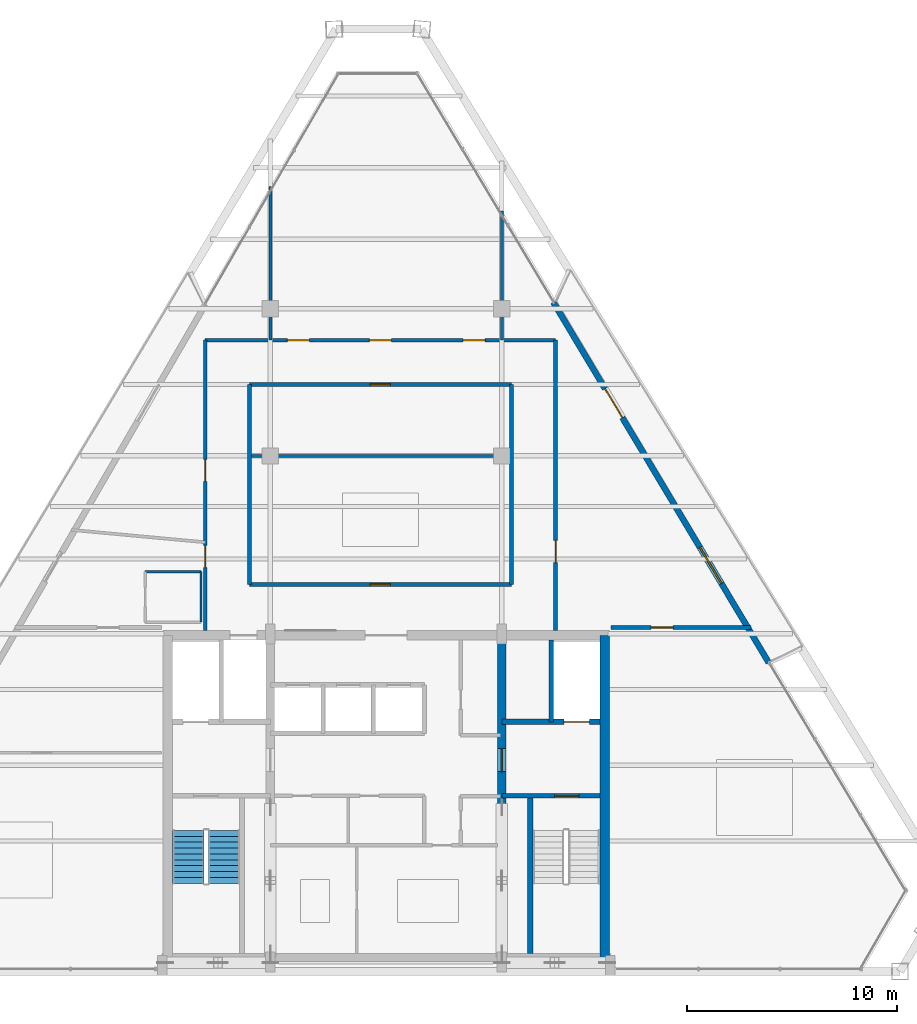
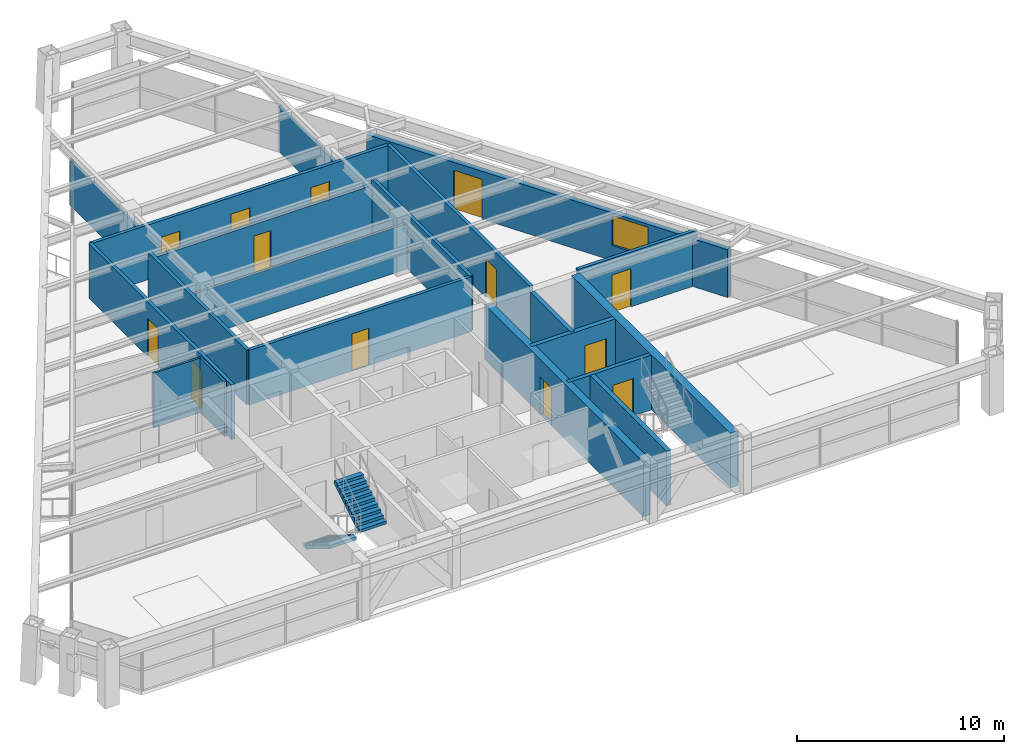
# One storey, part 10 of 13: 20 walls, 13 doors, 2 stair flights, 1 window, 14 openings, 1 element without a shape of its own.
"""IFC4 building model written with IfcOpenShell, lengths in metres."""

from ifc_helpers import new_model, si_unit, direction, frame, frame_2d, origin, place, context, subcontext, project, spatial, polyline, rectangle, outline, extrude, source, transform, mapped, material, layer, layer_set, type_object, type_shapes, element, fill, aggregate, save


model = new_model("IFC4")

# Units and contexts
model_context = context("Model", 3, precision=1e-05, world=origin(), true_north=direction((0.0, 1.0)))
body_context = subcontext(model_context, "Body", "Model", "MODEL_VIEW")
ifc_project = project(units=[si_unit("LENGTHUNIT", "METRE"), si_unit("AREAUNIT", "SQUARE_METRE"), si_unit("VOLUMEUNIT", "CUBIC_METRE"), si_unit("PLANEANGLEUNIT", "RADIAN"), si_unit("MASSUNIT", "GRAM", prefix="KILO")], contexts=[model_context])

# Site, building, storey
site_placement = place(None, origin())
site = spatial("IfcSite", under=ifc_project, at=site_placement, CompositionType="ELEMENT")
building_placement = place(site_placement, origin())
building = spatial("IfcBuilding", under=site, at=building_placement, Name="Varnakhor Terracotta Tower", CompositionType="ELEMENT")
storey_placement = place(building_placement, frame((0.0, 0.0, 269.550048828125)))
storey = spatial("IfcBuildingStorey", under=building, at=storey_placement, Name="L70", CompositionType="ELEMENT", Elevation=269.550048828125)

# Walls
ifc_material_1 = material(Name="Moisture-Resistant Tile-Backed Partition", Category="gypsum")
ifc_layer_1 = layer(ifc_material_1, 0.114990234375, Name="Moisture-Resistant Tile-Backed Partition")
ifc_layer_set_1 = layer_set([ifc_layer_1], Name="Moisture-Resistant Tile-Backed Partition")
wall_type_1 = type_object("IfcWallType", Name="WAL-BATH-115", PredefinedType="PARTITIONING", material=ifc_layer_set_1)
wall_1_placement = place(storey_placement, frame((-11.449951171875, 19.0, 0.0), z_axis=(0.0, 0.0, 1.0), x_axis=(1.0, 0.0, 0.0)))
element("IfcWall", 1, at=wall_1_placement, inside=storey, type_object=wall_type_1, Name="L70 En-Suite 1 Wall N", PredefinedType="PARTITIONING", context=body_context, shape_type="SweptSolid", body=[
    extrude(rectangle(XDim=2.64990234375, YDim=0.114990234375, at=frame_2d((1.324951171875, 0.0))), origin(), (0.0, 0.0, 1.0), 3.23193359375),
])
wall_2_placement = place(storey_placement, frame((-8.800048828125, 16.60009765625, 0.0), z_axis=(0.0, 0.0, 1.0), x_axis=(0.0, 1.0, 0.0)))
element("IfcWall", 2, at=wall_2_placement, inside=storey, type_object=wall_type_1, Name="L70 En-Suite 1 Wall E", PredefinedType="PARTITIONING", context=body_context, shape_type="SweptSolid", body=[
    extrude(rectangle(XDim=2.39990234375, YDim=0.114990234375, at=frame_2d((1.199951171875, 0.0))), origin(), (0.0, 0.0, 1.0), 3.23193359375),
])
ifc_material_2 = material(Name="Concrete C50/60", Category="concrete")
ifc_layer_2 = layer(ifc_material_2, 0.449951171875, Name="Concrete C50/60")
ifc_layer_set_2 = layer_set([ifc_layer_2], Name="Concrete C50/60")
wall_type_2 = type_object("IfcWallType", Name="WAL-CORE-450", PredefinedType="SHEAR", material=ifc_layer_set_2)
wall_3_placement = place(storey_placement, frame((10.375, 0.625, 0.0), z_axis=(0.0, 0.0, 1.0), x_axis=(0.0, 1.0, 0.0)))
element("IfcWall", 3, at=wall_3_placement, inside=storey, type_object=wall_type_2, Name="L70 East Core Shear Wall", PredefinedType="SHEAR", context=body_context, shape_type="SweptSolid", body=[
    extrude(rectangle(XDim=15.35009765625, YDim=0.449951171875, at=frame_2d((7.675048828125, 0.0))), origin(), (0.0, 0.0, 1.0), 3.239990234375),
])

# Wall, opening, door
ifc_layer_3 = layer(ifc_material_2, 0.39990234375, Name="Concrete C50/60")
ifc_layer_set_3 = layer_set([ifc_layer_3], Name="Concrete C50/60")
wall_type_3 = type_object("IfcWallType", Name="WAL-CORE-WEB-400", PredefinedType="SHEAR", material=ifc_layer_set_3)
wall_4_placement = place(storey_placement, frame((5.5, 0.625, 0.0), z_axis=(0.0, 0.0, 1.0), x_axis=(0.0, 1.0, 0.0)))
wall_4 = element("IfcWall", 4, at=wall_4_placement, inside=storey, type_object=wall_type_3, Name="L70 East Core Web Shear Wall", PredefinedType="SHEAR", context=body_context, shape_type="SweptSolid", body=[
    extrude(rectangle(XDim=15.35009765625, YDim=0.39990234375, at=frame_2d((7.675048828125, 0.0))), origin(), (0.0, 0.0, 1.0), 3.239990234375),
])
opening_1_placement = place(wall_4_placement, frame((8.875, 0.0, 0.0)))
opening_1 = element("IfcOpeningElement", 5, at=opening_1_placement, cuts=wall_4, Name="Opening DR-25", PredefinedType="OPENING", context=body_context, shape_type="SweptSolid", body=[
    extrude(rectangle(XDim=1.10009765625, YDim=2.199951171875, at=frame_2d((0.550048828125, 1.10009765625))), frame((0.0, 0.2099609375, 0.0), z_axis=(0.0, -1.0, 0.0), x_axis=(1.0, 0.0, 0.0)), (0.0, 0.0, 1.0), 0.419921875),
])
ifc_material_3 = material(Name="Firefighting Lobby Self-Closing Fire Door", Category="steel")
door_type_1 = type_object("IfcDoorType", Name="DR-FFL-1100X2200", OperationType="NOTDEFINED", PredefinedType="DOOR", material=ifc_material_3)
shared_shape_1 = source(origin(), body_context, "Body", "SweptSolid", [
    extrude(rectangle(XDim=1.10009765625, YDim=2.199951171875, at=frame_2d((0.550048828125, 1.10009765625))), frame((0.0, 0.02490234375, 0.0), z_axis=(0.0, -1.0, 0.0), x_axis=(1.0, 0.0, 0.0)), (0.0, 0.0, 1.0), 0.050048828125),
])
type_shapes(door_type_1, [shared_shape_1])
door_1_placement = place(opening_1_placement, origin())
door_1 = element("IfcDoor", 6, at=door_1_placement, inside=storey, type_object=door_type_1, Name="L70 East Firefighting Lobby Door", OperationType="SINGLE_SWING_RIGHT", OverallHeight=2.199951171875, OverallWidth=1.10009765625, PredefinedType="DOOR", context=body_context, shape_type="MappedRepresentation", body=[
    mapped(shared_shape_1, transform((0.0, 0.0, 0.0), scale=1.0)),
])
fill(opening_1, door_1)

ifc_material_4 = material(Name="Fire-Rated Gypsum Stud Partition", Category="gypsum")
ifc_layer_4 = layer(ifc_material_4, 0.18505859375, Name="Fire-Rated Gypsum Stud Partition")
ifc_layer_set_4 = layer_set([ifc_layer_4], Name="Fire-Rated Gypsum Stud Partition")
wall_type_4 = type_object("IfcWallType", Name="WAL-CORR-185", PredefinedType="PARTITIONING", material=ifc_layer_set_4)
wall_5_placement = place(storey_placement, frame((-6.5, 18.39990234375, 0.0), z_axis=(0.0, 0.0, 1.0), x_axis=(1.0, 0.0, 0.0)))
wall_5 = element("IfcWall", 7, at=wall_5_placement, inside=storey, type_object=wall_type_4, Name="L70 Ring Inner South Wall", PredefinedType="PARTITIONING", context=body_context, shape_type="SweptSolid", body=[
    extrude(rectangle(XDim=12.449951171875, YDim=0.18505859375, at=frame_2d((6.22509765625, 0.0))), origin(), (0.0, 0.0, 1.0), 3.23193359375),
])
opening_2_placement = place(wall_5_placement, frame((5.75, 0.0, 0.0)))
opening_2 = element("IfcOpeningElement", 8, at=opening_2_placement, cuts=wall_5, Name="Opening DR-94", PredefinedType="OPENING", context=body_context, shape_type="SweptSolid", body=[
    extrude(rectangle(XDim=0.949951171875, YDim=2.199951171875, at=frame_2d((0.47509765625, 1.10009765625))), frame((0.0, 0.1025390625, 0.0), z_axis=(0.0, -1.0, 0.0), x_axis=(1.0, 0.0, 0.0)), (0.0, 0.0, 1.0), 0.205078125),
])
ifc_material_5 = material(Name="Acoustic Glazed-Vision Timber Office Door", Category="wood")
door_type_2 = type_object("IfcDoorType", Name="DR-OFF-950X2200", OperationType="NOTDEFINED", PredefinedType="DOOR", material=ifc_material_5)
shared_shape_2 = source(origin(), body_context, "Body", "SweptSolid", [
    extrude(rectangle(XDim=0.949951171875, YDim=2.199951171875, at=frame_2d((0.47509765625, 1.10009765625))), frame((0.0, 0.02490234375, 0.0), z_axis=(0.0, -1.0, 0.0), x_axis=(1.0, 0.0, 0.0)), (0.0, 0.0, 1.0), 0.050048828125),
])
type_shapes(door_type_2, [shared_shape_2])
door_2_placement = place(opening_2_placement, origin())
door_2 = element("IfcDoor", 9, at=door_2_placement, inside=storey, type_object=door_type_2, Name="L70 Housekeeping Station Door", OperationType="SINGLE_SWING_LEFT", OverallHeight=2.199951171875, OverallWidth=0.949951171875, PredefinedType="DOOR", context=body_context, shape_type="MappedRepresentation", body=[
    mapped(shared_shape_2, transform((0.0, 0.0, 0.0), scale=1.0)),
])
fill(opening_2, door_2)

wall_6_placement = place(storey_placement, frame((-6.5, 27.89990234375, 0.0), z_axis=(0.0, 0.0, 1.0), x_axis=(1.0, 0.0, 0.0)))
wall_6 = element("IfcWall", 10, at=wall_6_placement, inside=storey, type_object=wall_type_4, Name="L70 Ring Inner North Wall", PredefinedType="PARTITIONING", context=body_context, shape_type="SweptSolid", body=[
    extrude(rectangle(XDim=12.449951171875, YDim=0.18505859375, at=frame_2d((6.22509765625, 0.0))), origin(), (0.0, 0.0, 1.0), 2.885009765625),
])
opening_3_placement = place(wall_6_placement, frame((5.75, 0.0, 0.0)))
opening_3 = element("IfcOpeningElement", 11, at=opening_3_placement, cuts=wall_6, Name="Opening DR-94", PredefinedType="OPENING", context=body_context, shape_type="SweptSolid", body=[
    extrude(rectangle(XDim=0.949951171875, YDim=2.199951171875, at=frame_2d((0.47509765625, 1.10009765625))), frame((0.0, 0.1025390625, 0.0), z_axis=(0.0, -1.0, 0.0), x_axis=(1.0, 0.0, 0.0)), (0.0, 0.0, 1.0), 0.205078125),
])
door_3_placement = place(opening_3_placement, origin())
door_3 = element("IfcDoor", 12, at=door_3_placement, inside=storey, type_object=door_type_2, Name="L70 Inner Service Door", OperationType="SINGLE_SWING_RIGHT", OverallHeight=2.199951171875, OverallWidth=0.949951171875, PredefinedType="DOOR", context=body_context, shape_type="MappedRepresentation", body=[
    mapped(shared_shape_2, transform((0.0, 0.0, 0.0), scale=1.0)),
])
fill(opening_3, door_3)

# Walls
for number, where, z_axis, x_axis, name in (
    (13, (-6.5, 18.39990234375, 0.0), (0.0, 0.0, 1.0), (0.0, 1.0, 0.0), "L70 Ring Inner West Wall"),
    (14, (5.949951171875, 18.39990234375, 0.0), (0.0, 0.0, 1.0), (0.0, 1.0, 0.0), "L70 Ring Inner East Wall"),
):
    element("IfcWall", number, at=place(storey_placement, frame(where, z_axis=z_axis, x_axis=x_axis)), inside=storey, type_object=wall_type_4, Name=name, PredefinedType="PARTITIONING", context=body_context, shape_type="SweptSolid", body=[
        extrude(rectangle(XDim=9.5, YDim=0.18505859375, at=frame_2d((4.75, 0.0))), origin(), (0.0, 0.0, 1.0), 3.23193359375),
    ])

# Wall, openings, doors
wall_7_placement = place(storey_placement, frame((-8.60009765625, 16.199951171875, 0.0), z_axis=(0.0, 0.0, 1.0), x_axis=(0.0, 1.0, 0.0)))
wall_7 = element("IfcWall", 15, at=wall_7_placement, inside=storey, type_object=wall_type_4, Name="L70 Hotel West Corridor Wall", PredefinedType="PARTITIONING", context=body_context, shape_type="SweptSolid", body=[
    extrude(rectangle(XDim=13.800048828125, YDim=0.18505859375, at=frame_2d((6.89990234375, 0.0))), origin(), (0.0, 0.0, 1.0), 3.23193359375),
])
opening_4_placement = place(wall_7_placement, frame((3.0, 0.0, 0.0)))
opening_4 = element("IfcOpeningElement", 16, at=opening_4_placement, cuts=wall_7, Name="Opening DR-95", PredefinedType="OPENING", context=body_context, shape_type="SweptSolid", body=[
    extrude(rectangle(XDim=1.050048828125, YDim=2.25, at=frame_2d((0.52490234375, 1.125))), frame((0.0, 0.1025390625, 0.0), z_axis=(0.0, -1.0, 0.0), x_axis=(1.0, 0.0, 0.0)), (0.0, 0.0, 1.0), 0.205078125),
])
opening_5_placement = place(wall_7_placement, frame((7.087890625, 0.0, 0.0)))
opening_5 = element("IfcOpeningElement", 17, at=opening_5_placement, cuts=wall_7, Name="Opening DR-95", PredefinedType="OPENING", context=body_context, shape_type="SweptSolid", body=[
    extrude(rectangle(XDim=1.050048828125, YDim=2.25, at=frame_2d((0.52490234375, 1.125))), frame((0.0, 0.1025390625, 0.0), z_axis=(0.0, -1.0, 0.0), x_axis=(1.0, 0.0, 0.0)), (0.0, 0.0, 1.0), 0.205078125),
])
ifc_material_6 = material(Name="Solid-Core Timber Tenant/Hotel Entrance Door", Category="wood")
door_type_3 = type_object("IfcDoorType", Name="DR-SUITE-1050X2250", OperationType="NOTDEFINED", PredefinedType="DOOR", material=ifc_material_6)
shared_shape_3 = source(origin(), body_context, "Body", "SweptSolid", [
    extrude(rectangle(XDim=1.050048828125, YDim=2.25, at=frame_2d((0.52490234375, 1.125))), frame((0.0, 0.02490234375, 0.0), z_axis=(0.0, -1.0, 0.0), x_axis=(1.0, 0.0, 0.0)), (0.0, 0.0, 1.0), 0.050048828125),
])
type_shapes(door_type_3, [shared_shape_3])
door_4_placement = place(opening_4_placement, origin())
door_4 = element("IfcDoor", 18, at=door_4_placement, inside=storey, type_object=door_type_3, Name="L70 West Room 1 Entry Door", OperationType="SINGLE_SWING_RIGHT", OverallHeight=2.25, OverallWidth=1.050048828125, PredefinedType="DOOR", context=body_context, shape_type="MappedRepresentation", body=[
    mapped(shared_shape_3, transform((0.0, 0.0, 0.0), scale=1.0)),
])
fill(opening_4, door_4)
door_5_placement = place(opening_5_placement, origin())
door_5 = element("IfcDoor", 19, at=door_5_placement, inside=storey, type_object=door_type_3, Name="L70 West Room 2 Entry Door", OperationType="SINGLE_SWING_RIGHT", OverallHeight=2.25, OverallWidth=1.050048828125, PredefinedType="DOOR", context=body_context, shape_type="MappedRepresentation", body=[
    mapped(shared_shape_3, transform((0.0, 0.0, 0.0), scale=1.0)),
])
fill(opening_5, door_5)

# Wall, opening, door
wall_8_placement = place(storey_placement, frame((8.050048828125, 16.199951171875, 0.0), z_axis=(0.0, 0.0, 1.0), x_axis=(0.0, 1.0, 0.0)))
wall_8 = element("IfcWall", 20, at=wall_8_placement, inside=storey, type_object=wall_type_4, Name="L70 Hotel East Corridor Wall", PredefinedType="PARTITIONING", context=body_context, shape_type="SweptSolid", body=[
    extrude(rectangle(XDim=13.800048828125, YDim=0.18505859375, at=frame_2d((6.89990234375, 0.0))), origin(), (0.0, 0.0, 1.0), 3.23193359375),
])
opening_6_placement = place(wall_8_placement, frame((3.237548828125, 0.0, 0.0)))
opening_6 = element("IfcOpeningElement", 21, at=opening_6_placement, cuts=wall_8, Name="Opening DR-95", PredefinedType="OPENING", context=body_context, shape_type="SweptSolid", body=[
    extrude(rectangle(XDim=1.050048828125, YDim=2.25, at=frame_2d((0.52490234375, 1.125))), frame((0.0, 0.1025390625, 0.0), z_axis=(0.0, -1.0, 0.0), x_axis=(1.0, 0.0, 0.0)), (0.0, 0.0, 1.0), 0.205078125),
])
door_6_placement = place(opening_6_placement, origin())
door_6 = element("IfcDoor", 22, at=door_6_placement, inside=storey, type_object=door_type_3, Name="L70 East Room 1 Entry Door", OperationType="SINGLE_SWING_LEFT", OverallHeight=2.25, OverallWidth=1.050048828125, PredefinedType="DOOR", context=body_context, shape_type="MappedRepresentation", body=[
    mapped(shared_shape_3, transform((0.0, 0.0, 0.0), scale=1.0)),
])
fill(opening_6, door_6)

# Wall, openings, doors
wall_9_placement = place(storey_placement, frame((-8.60009765625, 30.0, 0.0), z_axis=(0.0, 0.0, 1.0), x_axis=(1.0, 0.0, 0.0)))
wall_9 = element("IfcWall", 23, at=wall_9_placement, inside=storey, type_object=wall_type_4, Name="L70 Hotel North Corridor Wall", PredefinedType="PARTITIONING", context=body_context, shape_type="SweptSolid", body=[
    extrude(rectangle(XDim=16.650146484375, YDim=0.18505859375, at=frame_2d((8.3251953125, 0.0))), origin(), (0.0, 0.0, 1.0), 3.23193359375),
])
opening_7_placement = place(wall_9_placement, frame((3.89990234375, 0.0, 0.0)))
opening_7 = element("IfcOpeningElement", 24, at=opening_7_placement, cuts=wall_9, Name="Opening DR-95", PredefinedType="OPENING", context=body_context, shape_type="SweptSolid", body=[
    extrude(rectangle(XDim=1.050048828125, YDim=2.25, at=frame_2d((0.52490234375, 1.125))), frame((0.0, 0.1025390625, 0.0), z_axis=(0.0, -1.0, 0.0), x_axis=(1.0, 0.0, 0.0)), (0.0, 0.0, 1.0), 0.205078125),
])
opening_8_placement = place(wall_9_placement, frame((7.800048828125, 0.0, 0.0)))
opening_8 = element("IfcOpeningElement", 25, at=opening_8_placement, cuts=wall_9, Name="Opening DR-95", PredefinedType="OPENING", context=body_context, shape_type="SweptSolid", body=[
    extrude(rectangle(XDim=1.050048828125, YDim=2.25, at=frame_2d((0.52490234375, 1.125))), frame((0.0, 0.1025390625, 0.0), z_axis=(0.0, -1.0, 0.0), x_axis=(1.0, 0.0, 0.0)), (0.0, 0.0, 1.0), 0.205078125),
])
opening_9_placement = place(wall_9_placement, frame((12.25, 0.0, 0.0)))
opening_9 = element("IfcOpeningElement", 26, at=opening_9_placement, cuts=wall_9, Name="Opening DR-95", PredefinedType="OPENING", context=body_context, shape_type="SweptSolid", body=[
    extrude(rectangle(XDim=1.050048828125, YDim=2.25, at=frame_2d((0.52490234375, 1.125))), frame((0.0, 0.1025390625, 0.0), z_axis=(0.0, -1.0, 0.0), x_axis=(1.0, 0.0, 0.0)), (0.0, 0.0, 1.0), 0.205078125),
])
door_7_placement = place(opening_7_placement, origin())
door_7 = element("IfcDoor", 27, at=door_7_placement, inside=storey, type_object=door_type_3, Name="L70 North Suite 1 Entry Door", OperationType="SINGLE_SWING_RIGHT", OverallHeight=2.25, OverallWidth=1.050048828125, PredefinedType="DOOR", context=body_context, shape_type="MappedRepresentation", body=[
    mapped(shared_shape_3, transform((0.0, 0.0, 0.0), scale=1.0)),
])
fill(opening_7, door_7)
door_8_placement = place(opening_8_placement, origin())
door_8 = element("IfcDoor", 28, at=door_8_placement, inside=storey, type_object=door_type_3, Name="L70 North Suite 2 Entry Door", OperationType="SINGLE_SWING_LEFT", OverallHeight=2.25, OverallWidth=1.050048828125, PredefinedType="DOOR", context=body_context, shape_type="MappedRepresentation", body=[
    mapped(shared_shape_3, transform((0.0, 0.0, 0.0), scale=1.0)),
])
fill(opening_8, door_8)
door_9_placement = place(opening_9_placement, origin())
door_9 = element("IfcDoor", 29, at=door_9_placement, inside=storey, type_object=door_type_3, Name="L70 North Suite 3 Entry Door", OperationType="SINGLE_SWING_RIGHT", OverallHeight=2.25, OverallWidth=1.050048828125, PredefinedType="DOOR", context=body_context, shape_type="MappedRepresentation", body=[
    mapped(shared_shape_3, transform((0.0, 0.0, 0.0), scale=1.0)),
])
fill(opening_9, door_9)

# Wall, opening, door
wall_10_placement = place(storey_placement, frame((10.679931640625, 16.35009765625, 0.0), z_axis=(0.0, 0.0, 1.0), x_axis=(1.0, 0.0, 0.0)))
wall_10 = element("IfcWall", 30, at=wall_10_placement, inside=storey, type_object=wall_type_4, Name="L70 South East Guest Entry Wall", PredefinedType="PARTITIONING", context=body_context, shape_type="SweptSolid", body=[
    extrude(rectangle(XDim=6.652099609375, YDim=0.18505859375, at=frame_2d((3.326171875, 0.0))), origin(), (0.0, 0.0, 1.0), 3.23193359375),
])
opening_10_placement = place(wall_10_placement, frame((1.9052734375, 0.0, 0.0)))
opening_10 = element("IfcOpeningElement", 31, at=opening_10_placement, cuts=wall_10, Name="Opening DR-95", PredefinedType="OPENING", context=body_context, shape_type="SweptSolid", body=[
    extrude(rectangle(XDim=1.050048828125, YDim=2.25, at=frame_2d((0.52490234375, 1.125))), frame((0.0, 0.1025390625, 0.0), z_axis=(0.0, -1.0, 0.0), x_axis=(1.0, 0.0, 0.0)), (0.0, 0.0, 1.0), 0.205078125),
])
door_10_placement = place(opening_10_placement, origin())
door_10 = element("IfcDoor", 32, at=door_10_placement, inside=storey, type_object=door_type_3, Name="L70 SE Suite Entry Door", OperationType="SINGLE_SWING_RIGHT", OverallHeight=2.25, OverallWidth=1.050048828125, PredefinedType="DOOR", context=body_context, shape_type="MappedRepresentation", body=[
    mapped(shared_shape_3, transform((0.0, 0.0, 0.0), scale=1.0)),
])
fill(opening_10, door_10)

# Wall, openings, door, window
ifc_material_7 = material(Name="Extruded Architectural Terracotta Assembly", Category="masonry")
ifc_layer_5 = layer(ifc_material_7, 0.280029296875, Name="Extruded Architectural Terracotta Assembly")
ifc_layer_set_5 = layer_set([ifc_layer_5], Name="Extruded Architectural Terracotta Assembly")
wall_type_5 = type_object("IfcWallType", Name="WAL-EXT-TERRACOTTA-280", PredefinedType="SOLIDWALL", material=ifc_layer_set_5)
wall_11_placement = place(storey_placement, frame((7.942138671875, 31.806640625, 0.0), z_axis=(0.0, 0.0, 1.0), x_axis=(0.513039751496, -0.858364848642, 0.0)))
wall_11 = element("IfcWall", 33, at=wall_11_placement, inside=storey, type_object=wall_type_5, Name="L70 E Loggia Insulated Terracotta Wall", PredefinedType="SOLIDWALL", context=body_context, shape_type="SweptSolid", body=[
    extrude(rectangle(XDim=19.958984375, YDim=0.280029296875, at=frame_2d((9.9794921875, 0.0))), origin(), (0.0, 0.0, 1.0), 2.820068359375),
])
opening_11_placement = place(wall_11_placement, frame((4.790283203125, 0.0, 0.0)))
opening_11 = element("IfcOpeningElement", 34, at=opening_11_placement, cuts=wall_11, Name="Opening DR-62", PredefinedType="OPENING", context=body_context, shape_type="SweptSolid", body=[
    extrude(rectangle(XDim=1.60009765625, YDim=2.35009765625, at=frame_2d((0.800048828125, 1.175048828125))), frame((0.0, 0.14990234375, 0.0), z_axis=(0.0, -1.0, 0.0), x_axis=(1.0, 0.0, 0.0)), (0.0, 0.0, 1.0), 0.300048828125),
])
opening_12_placement = place(wall_11_placement, frame((13.572021484375, 0.0, 0.89990234375)))
opening_12 = element("IfcOpeningElement", 35, at=opening_12_placement, cuts=wall_11, Name="Opening WN-63", PredefinedType="OPENING", context=body_context, shape_type="SweptSolid", body=[
    extrude(rectangle(XDim=2.0, YDim=1.75, at=frame_2d((1.0, 0.875))), frame((0.0, 0.14990234375, 0.0), z_axis=(0.0, -1.0, 0.0), x_axis=(1.0, 0.0, 0.0)), (0.0, 0.0, 1.0), 0.300048828125),
])
ifc_material_8 = material(Name="Thermally Broken Sliding Glass Loggia Door", Category="glass")
door_type_4 = type_object("IfcDoorType", Name="DR-EXT-LOGGIA-1600X2350", OperationType="NOTDEFINED", PredefinedType="DOOR", material=ifc_material_8)
shared_shape_4 = source(origin(), body_context, "Body", "SweptSolid", [
    extrude(rectangle(XDim=1.60009765625, YDim=2.35009765625, at=frame_2d((0.800048828125, 1.175048828125))), frame((0.0, 0.02490234375, 0.0), z_axis=(0.0, -1.0, 0.0), x_axis=(1.0, 0.0, 0.0)), (0.0, 0.0, 1.0), 0.050048828125),
])
type_shapes(door_type_4, [shared_shape_4])
door_11_placement = place(opening_11_placement, origin())
door_11 = element("IfcDoor", 36, at=door_11_placement, inside=storey, type_object=door_type_4, Name="L70 E Recessed Loggia Sliding Door", OperationType="SLIDING_TO_RIGHT", OverallHeight=2.35009765625, OverallWidth=1.60009765625, PredefinedType="DOOR", context=body_context, shape_type="MappedRepresentation", body=[
    mapped(shared_shape_4, transform((0.0, 0.0, 0.0), scale=1.0)),
])
fill(opening_11, door_11)
ifc_material_9 = material(Name="Solar-Control Low-E Insulated Glass Unit", Category="glass")
window_type = type_object("IfcWindowType", Name="WIN-HTL-2000X1950", PartitioningType="SINGLE_PANEL", PredefinedType="WINDOW", material=ifc_material_9)
shared_shape_5 = source(origin(), body_context, "Body", "SweptSolid", [
    extrude(rectangle(XDim=2.0, YDim=1.75, at=frame_2d((1.0, 0.875))), frame((0.0, 0.030029296875, 0.0), z_axis=(0.0, -1.0, 0.0), x_axis=(1.0, 0.0, 0.0)), (0.0, 0.0, 1.0), 0.06005859375),
])
type_shapes(window_type, [shared_shape_5])
window_placement = place(opening_12_placement, origin())
window = element("IfcWindow", 37, at=window_placement, inside=storey, type_object=window_type, Name="L70 E Facet Punched Window", OverallHeight=1.75, OverallWidth=2.0, PartitioningType="SINGLE_PANEL", PredefinedType="WINDOW", context=body_context, shape_type="MappedRepresentation", body=[
    mapped(shared_shape_5, transform((0.0, 0.0, 0.0), scale=1.0)),
])
fill(opening_12, window)

# Wall, opening, door
ifc_material_10 = material(Name="Concrete C40/50", Category="concrete")
ifc_layer_6 = layer(ifc_material_10, 0.219970703125, Name="Concrete C40/50")
ifc_layer_set_6 = layer_set([ifc_layer_6], Name="Concrete C40/50")
wall_type_6 = type_object("IfcWallType", Name="WAL-FFLOBBY-220", PredefinedType="SOLIDWALL", material=ifc_layer_set_6)
wall_12_placement = place(storey_placement, frame((10.14990234375, 8.35009765625, 0.0), z_axis=(0.0, 0.0, 1.0), x_axis=(-1.0, 0.0, 0.0)))
wall_12 = element("IfcWall", 38, at=wall_12_placement, inside=storey, type_object=wall_type_6, Name="L70 East Firefighting Lobby Stair Wall", PredefinedType="SOLIDWALL", context=body_context, shape_type="SweptSolid", body=[
    extrude(rectangle(XDim=4.64990234375, YDim=0.219970703125, at=frame_2d((2.324951171875, 0.0))), origin(), (0.0, 0.0, 1.0), 3.239990234375),
])
opening_13_placement = place(wall_12_placement, frame((1.0, 0.0, 0.0)))
opening_13 = element("IfcOpeningElement", 39, at=opening_13_placement, cuts=wall_12, Name="Opening DR-34", PredefinedType="OPENING", context=body_context, shape_type="SweptSolid", body=[
    extrude(rectangle(XDim=1.14990234375, YDim=2.199951171875, at=frame_2d((0.574951171875, 1.10009765625))), frame((0.0, 0.1201171875, 0.0), z_axis=(0.0, -1.0, 0.0), x_axis=(1.0, 0.0, 0.0)), (0.0, 0.0, 1.0), 0.239990234375),
])
ifc_material_11 = material(Name="Self-Closing Smoke-Sealed Steel Fire Door", Category="steel")
door_type_5 = type_object("IfcDoorType", Name="DR-STAIR-1150X2200", OperationType="NOTDEFINED", PredefinedType="DOOR", material=ifc_material_11)
shared_shape_6 = source(origin(), body_context, "Body", "SweptSolid", [
    extrude(rectangle(XDim=1.14990234375, YDim=2.199951171875, at=frame_2d((0.574951171875, 1.10009765625))), frame((0.0, 0.02490234375, 0.0), z_axis=(0.0, -1.0, 0.0), x_axis=(1.0, 0.0, 0.0)), (0.0, 0.0, 1.0), 0.050048828125),
])
type_shapes(door_type_5, [shared_shape_6])
door_12_placement = place(opening_13_placement, origin())
door_12 = element("IfcDoor", 40, at=door_12_placement, inside=storey, type_object=door_type_5, Name="L70 Exit Stair ST-2 Fire Door", OperationType="SINGLE_SWING_LEFT", OverallHeight=2.199951171875, OverallWidth=1.14990234375, PredefinedType="DOOR", context=body_context, shape_type="MappedRepresentation", body=[
    mapped(shared_shape_6, transform((0.0, 0.0, 0.0), scale=1.0)),
])
fill(opening_13, door_12)

# Walls
ifc_material_12 = material(Name="Acoustic Hotel Room Partition", Category="gypsum")
ifc_layer_7 = layer(ifc_material_12, 0.1298828125, Name="Acoustic Hotel Room Partition")
ifc_layer_set_7 = layer_set([ifc_layer_7], Name="Acoustic Hotel Room Partition")
wall_type_7 = type_object("IfcWallType", Name="WAL-PART-130", PredefinedType="PARTITIONING", material=ifc_layer_set_7)
wall_13_placement = place(storey_placement, frame((-5.5, 30.0, 0.0), z_axis=(0.0, 0.0, 1.0), x_axis=(0.0, 1.0, 0.0)))
element("IfcWall", 41, at=wall_13_placement, inside=storey, type_object=wall_type_7, Name="L70 North West Column Wall", PredefinedType="PARTITIONING", context=body_context, shape_type="SweptSolid", body=[
    extrude(rectangle(XDim=7.2998046875, YDim=0.1298828125, at=frame_2d((3.64990234375, 0.0))), origin(), (0.0, 0.0, 1.0), 2.682861328125),
])
wall_14_placement = place(storey_placement, frame((5.5, 30.0, 0.0), z_axis=(0.0, 0.0, 1.0), x_axis=(0.0, 1.0, 0.0)))
element("IfcWall", 42, at=wall_14_placement, inside=storey, type_object=wall_type_7, Name="L70 North East Column Wall", PredefinedType="PARTITIONING", context=body_context, shape_type="SweptSolid", body=[
    extrude(rectangle(XDim=6.14599609375, YDim=0.1298828125, at=frame_2d((3.072998046875, 0.0))), origin(), (0.0, 0.0, 1.0), 2.682861328125),
])
ifc_material_13 = material(Name="Acoustic Metal-Stud Partition", Category="gypsum")
ifc_layer_8 = layer(ifc_material_13, 0.139892578125, Name="Acoustic Metal-Stud Partition")
ifc_layer_set_8 = layer_set([ifc_layer_8], Name="Acoustic Metal-Stud Partition")
wall_type_8 = type_object("IfcWallType", Name="WAL-PART-140", PredefinedType="PARTITIONING", material=ifc_layer_set_8)
wall_15_placement = place(storey_placement, frame((-6.5, 24.5, 0.0), z_axis=(0.0, 0.0, 1.0), x_axis=(1.0, 0.0, 0.0)))
element("IfcWall", 43, at=wall_15_placement, inside=storey, type_object=wall_type_8, Name="L70 Inner Service Split", PredefinedType="PARTITIONING", context=body_context, shape_type="SweptSolid", body=[
    extrude(rectangle(XDim=12.449951171875, YDim=0.139892578125, at=frame_2d((6.22509765625, 0.0))), origin(), (0.0, 0.0, 1.0), 2.682861328125),
])
ifc_layer_9 = layer(ifc_material_10, 0.219970703125, Name="Concrete C40/50")
ifc_layer_set_9 = layer_set([ifc_layer_9], Name="Concrete C40/50")
wall_type_9 = type_object("IfcWallType", Name="WAL-SHAFT-220", PredefinedType="SOLIDWALL", material=ifc_layer_set_9)
wall_16_placement = place(storey_placement, frame((7.840087890625, 11.8701171875, 0.0), z_axis=(0.0, 0.0, 1.0), x_axis=(0.0, 1.0, 0.0)))
element("IfcWall", 44, at=wall_16_placement, inside=storey, type_object=wall_type_9, Name="L70 Lift FFL-2 and Riser Divider Wall", PredefinedType="SOLIDWALL", context=body_context, shape_type="SweptSolid", body=[
    extrude(rectangle(XDim=3.8798828125, YDim=0.219970703125, at=frame_2d((1.93994140625, 0.0))), origin(), (0.0, 0.0, 1.0), 3.239990234375),
])
ifc_layer_10 = layer(ifc_material_10, 0.25, Name="Concrete C40/50")
ifc_layer_set_10 = layer_set([ifc_layer_10], Name="Concrete C40/50")
wall_type_10 = type_object("IfcWallType", Name="WAL-SHAFT-250", PredefinedType="SOLIDWALL", material=ifc_layer_set_10)
wall_17_placement = place(storey_placement, frame((6.85009765625, 0.85009765625, 0.0), z_axis=(0.0, 0.0, 1.0), x_axis=(0.0, 1.0, 0.0)))
element("IfcWall", 45, at=wall_17_placement, inside=storey, type_object=wall_type_10, Name="L70 Stair ST-2 Bearing Shaft Wall", PredefinedType="SOLIDWALL", context=body_context, shape_type="SweptSolid", body=[
    extrude(rectangle(XDim=7.5, YDim=0.25, at=frame_2d((3.75, 0.0))), origin(), (0.0, 0.0, 1.0), 3.239990234375),
])

# Wall, opening, door
wall_18_placement = place(storey_placement, frame((10.14990234375, 11.8701171875, 0.0), z_axis=(0.0, 0.0, 1.0), x_axis=(-1.0, 0.0, 0.0)))
wall_18 = element("IfcWall", 46, at=wall_18_placement, inside=storey, type_object=wall_type_10, Name="L70 Lift FFL-2 Shaft Front Wall", PredefinedType="SOLIDWALL", context=body_context, shape_type="SweptSolid", body=[
    extrude(rectangle(XDim=4.64990234375, YDim=0.25, at=frame_2d((2.324951171875, 0.0))), origin(), (0.0, 0.0, 1.0), 3.239990234375),
])
opening_14_placement = place(wall_18_placement, frame((0.5, 0.0, 0.0)))
opening_14 = element("IfcOpeningElement", 47, at=opening_14_placement, cuts=wall_18, Name="Opening LD-02", PredefinedType="OPENING", context=body_context, shape_type="SweptSolid", body=[
    extrude(rectangle(XDim=1.199951171875, YDim=2.25, at=frame_2d((0.60009765625, 1.125))), frame((0.0, 0.135009765625, 0.0), z_axis=(0.0, -1.0, 0.0), x_axis=(1.0, 0.0, 0.0)), (0.0, 0.0, 1.0), 0.27001953125),
])
ifc_material_14 = material(Name="Firefighting Stretcher Sliding Lift Landing Door", Category="steel")
door_type_6 = type_object("IfcDoorType", Name="LD-FFL-1200X2250", OperationType="NOTDEFINED", PredefinedType="DOOR", material=ifc_material_14)
shared_shape_7 = source(origin(), body_context, "Body", "SweptSolid", [
    extrude(rectangle(XDim=1.199951171875, YDim=2.25, at=frame_2d((0.60009765625, 1.125))), frame((0.0, 0.02490234375, 0.0), z_axis=(0.0, -1.0, 0.0), x_axis=(1.0, 0.0, 0.0)), (0.0, 0.0, 1.0), 0.050048828125),
])
type_shapes(door_type_6, [shared_shape_7])
door_13_placement = place(opening_14_placement, origin())
door_13 = element("IfcDoor", 48, at=door_13_placement, inside=storey, type_object=door_type_6, Name="L70 Firefighting Lift FFL-2 Landing Door", OperationType="SLIDING_TO_RIGHT", OverallHeight=2.25, OverallWidth=1.199951171875, PredefinedType="DOOR", context=body_context, shape_type="MappedRepresentation", body=[
    mapped(shared_shape_7, transform((0.0, 0.0, 0.0), scale=1.0)),
])
fill(opening_14, door_13)

# Stair, stair flights
stair_type = type_object("IfcStairType", Name="STR-CORE-HOTEL-1500", PredefinedType="HALF_TURN_STAIR", material=ifc_material_10)
stair_placement = place(storey_placement, origin())
stair = element("IfcStair", 49, at=stair_placement, inside=storey, type_object=stair_type, Name="L70 Core Exit Stair ST-1", PredefinedType="HALF_TURN_STAIR")
stair_flight_type = type_object("IfcStairFlightType", Name="FLT-HOTEL-1500", PredefinedType="STRAIGHT", material=ifc_material_10)
stair_flight_1_placement = place(storey_placement, frame((-9.39990234375, 6.7099609375, 0.0), z_axis=(0.0, 0.0, 1.0), x_axis=(0.0, -1.0, 0.0)))
stair_flight_1 = element("IfcStairFlight", 50, at=stair_flight_1_placement, type_object=stair_flight_type, Name="ST-1 flight 1", NumberOfRisers=10, NumberOfTreads=9, PredefinedType="STRAIGHT", RiserHeight=0.1725, TreadLength=0.28, context=body_context, shape_type="SweptSolid", body=[
    extrude(outline(polyline([(0.0, 0.0), (0.0, 0.172607421875), (0.280029296875, 0.172607421875), (0.280029296875, 0.344970703125), (0.56005859375, 0.344970703125), (0.56005859375, 0.517578125), (0.840087890625, 0.517578125), (0.840087890625, 0.68994140625), (1.1201171875, 0.68994140625), (1.1201171875, 0.862548828125), (1.39990234375, 0.862548828125), (1.39990234375, 1.034912109375), (1.679931640625, 1.034912109375), (1.679931640625, 1.20751953125), (1.9599609375, 1.20751953125), (1.9599609375, 1.3798828125), (2.239990234375, 1.3798828125), (2.239990234375, 1.552490234375), (2.52001953125, 1.552490234375), (2.52001953125, 1.72509765625), (2.52001953125, 1.36474609375), (0.304931640625, 0.0), (0.0, 0.0)])), frame((0.0, 0.75, 0.0), z_axis=(0.0, -1.0, 0.0), x_axis=(1.0, 0.0, 0.0)), (0.0, 0.0, 1.0), 1.5),
])
stair_flight_2_placement = place(storey_placement, frame((-7.699951171875, 4.18994140625, 1.724853515625), z_axis=(0.0, 0.0, 1.0), x_axis=(0.0, 1.0, 0.0)))
stair_flight_2 = element("IfcStairFlight", 51, at=stair_flight_2_placement, type_object=stair_flight_type, Name="ST-1 flight 2", NumberOfRisers=10, NumberOfTreads=9, PredefinedType="STRAIGHT", RiserHeight=0.1725, TreadLength=0.28, context=body_context, shape_type="SweptSolid", body=[
    extrude(outline(polyline([(0.0, 0.0), (0.0, 0.172607421875), (0.280029296875, 0.172607421875), (0.280029296875, 0.344970703125), (0.56005859375, 0.344970703125), (0.56005859375, 0.517578125), (0.840087890625, 0.517578125), (0.840087890625, 0.68994140625), (1.1201171875, 0.68994140625), (1.1201171875, 0.862548828125), (1.39990234375, 0.862548828125), (1.39990234375, 1.034912109375), (1.679931640625, 1.034912109375), (1.679931640625, 1.20751953125), (1.9599609375, 1.20751953125), (1.9599609375, 1.3798828125), (2.239990234375, 1.3798828125), (2.239990234375, 1.552490234375), (2.52001953125, 1.552490234375), (2.52001953125, 1.72509765625), (2.52001953125, 1.36474609375), (0.304931640625, 0.0), (0.0, 0.0)])), frame((0.0, 0.75, 0.0), z_axis=(0.0, -1.0, 0.0), x_axis=(1.0, 0.0, 0.0)), (0.0, 0.0, 1.0), 1.5),
])
aggregate(stair, [stair_flight_1, stair_flight_2])

save(model, "model.ifc")
